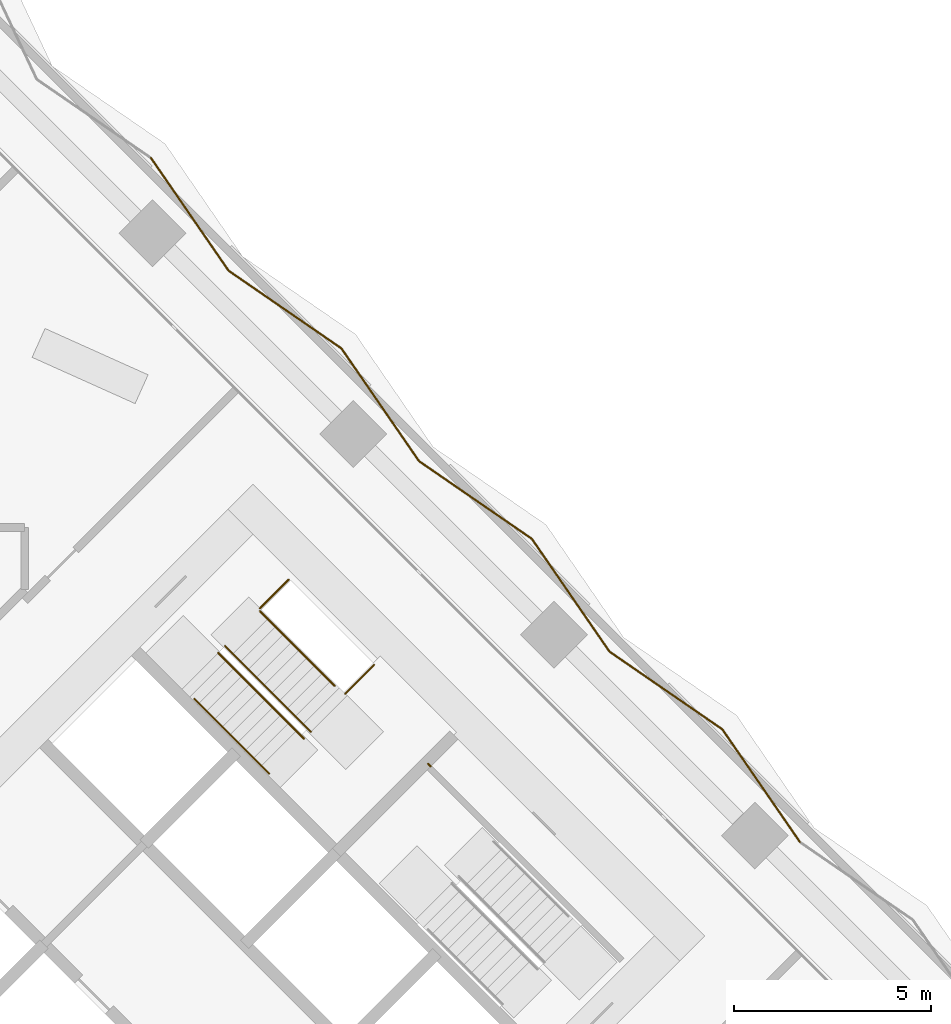
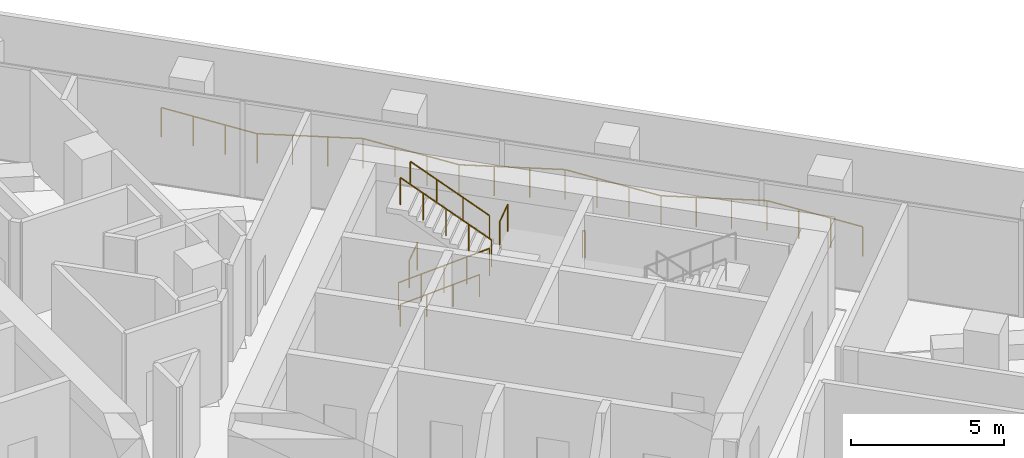
# One storey, part 24 of 24: 14 railings.
"""IFC4 building model written with IfcOpenShell, lengths in metres."""

import ifcopenshell
import ifcopenshell.guid

model = None  # the IFC model being written
_history = None  # IfcOwnerHistory: only IFC2X3 demands one
_inside = {}  # id of a spatial element -> (the spatial element, [elements in it])
_under = {}  # id of a project, library or spatial element -> (it, [spatial elements below it])
_declared = {}  # id of a project -> (the project, [libraries it declares])
_typed = {}  # id of a type object -> (the type object, [elements of that type])
_made_of = {}  # id of a material, layer set ... -> (it, [elements and type objects made of it])


def new_model(schema):
    """Start an empty IFC model of exactly this schema.

    Asked for "IFC4X3", IfcOpenShell would pick the latest addendum, in which some entities
    have other attributes; the version numbers below select the first issue.
    IFC2X3 requires an IfcOwnerHistory on every rooted entity: one is made here for all.
    """
    global model, _history
    if schema == "IFC4X3":
        model = ifcopenshell.file(schema_version=(4, 3, 0, 0))
    else:
        model = ifcopenshell.file(schema=schema)
    _inside.clear()
    _under.clear()
    _declared.clear()
    _typed.clear()
    _made_of.clear()
    _history = None
    if model.schema == "IFC2X3":
        org = make("IfcOrganization", Name="unknown")
        user = make(
            "IfcPersonAndOrganization",
            ThePerson=make("IfcPerson", FamilyName="unknown"),
            TheOrganization=org,
        )
        app = make(
            "IfcApplication",
            ApplicationDeveloper=org,
            Version="unknown",
            ApplicationFullName="unknown",
            ApplicationIdentifier="unknown",
        )
        _history = make(
            "IfcOwnerHistory",
            OwningUser=user,
            OwningApplication=app,
            ChangeAction="ADDED",
            CreationDate=0,
        )
    return model


def make(cls, **values):
    """One entity of the class cls with the attributes given. An attribute that is None is left unset."""
    return model.create_entity(
        cls, **{name: value for name, value in values.items() if value is not None}
    )


def rooted(cls, **values):
    """An entity with a GlobalId (a new one), such as an element, a storey or a relation."""
    return make(cls, GlobalId=ifcopenshell.guid.new(), OwnerHistory=_history, **values)


def si_unit(unit_type, name, prefix=None):
    """IfcSIUnit, for example si_unit("LENGTHUNIT", "METRE", prefix="MILLI")."""
    return make("IfcSIUnit", UnitType=unit_type, Prefix=prefix, Name=name)


def assignment(units):
    """IfcUnitAssignment: the units of a project."""
    return None if units is None else make("IfcUnitAssignment", Units=units)


def point(xyz):
    """IfcCartesianPoint."""
    return None if xyz is None else make("IfcCartesianPoint", Coordinates=xyz)


def direction(xyz):
    """IfcDirection."""
    return None if xyz is None else make("IfcDirection", DirectionRatios=xyz)


def frame(location, z_axis=None, x_axis=None):
    """IfcAxis2Placement3D, a coordinate frame: its origin and axes. An axis left out is left unset."""
    return make(
        "IfcAxis2Placement3D",
        Location=point(location),
        Axis=direction(z_axis),
        RefDirection=direction(x_axis),
    )


def frame_2d(location, x_axis=None):
    """IfcAxis2Placement2D, a coordinate frame in the plane: its origin and x axis."""
    return make(
        "IfcAxis2Placement2D", Location=point(location), RefDirection=direction(x_axis)
    )


def origin():
    """The frame at (0, 0, 0) with its axes left unset."""
    return frame((0.0, 0.0, 0.0))


def origin_2d():
    """The frame at (0, 0) in the plane with its x axis left unset."""
    return frame_2d((0.0, 0.0))


def place(relative_to, where):
    """IfcLocalPlacement: puts the frame where relative to a parent placement (None: the world)."""
    return make(
        "IfcLocalPlacement", PlacementRelTo=relative_to, RelativePlacement=where
    )


def context(
    kind, dimensions, precision=None, world=None, true_north=None, identifier=None
):
    """IfcGeometricRepresentationContext, for example the 3D "Model" context."""
    return make(
        "IfcGeometricRepresentationContext",
        ContextIdentifier=identifier,
        ContextType=kind,
        CoordinateSpaceDimension=dimensions,
        Precision=precision,
        WorldCoordinateSystem=world,
        TrueNorth=true_north,
    )


def subcontext(parent, identifier, kind, view, scale=None):
    """IfcGeometricRepresentationSubContext, for example "Body" below "Model"."""
    return make(
        "IfcGeometricRepresentationSubContext",
        ContextIdentifier=identifier,
        ContextType=kind,
        ParentContext=parent,
        TargetScale=scale,
        TargetView=view,
    )


def project(units=None, contexts=None):
    """IfcProject with its units and contexts."""
    return rooted(
        "IfcProject",
        Name="project",
        RepresentationContexts=contexts,
        UnitsInContext=assignment(units),
    )


def spatial(cls, under=None, at=None, **own):
    """A site, building, storey or space (cls), placed at a placement, below another one or the project."""
    s = rooted(cls, ObjectPlacement=at, **own)
    if under is not None:
        _under.setdefault(under.id(), (under, []))[1].append(s)
    return s


def profile(cls, at=None, kind="AREA", **sizes):
    """A parametric profile (cls). Its sizes go by their IFC names, for example OverallWidth=200.0."""
    return make(cls, ProfileType=kind, Position=at, **sizes)


def circle(**sizes):
    """IfcCircleProfileDef."""
    return profile("IfcCircleProfileDef", **sizes)


def extrude(swept, where, along, depth):
    """IfcExtrudedAreaSolid: the profile swept, set in the frame where, extruded along a direction by depth."""
    return make(
        "IfcExtrudedAreaSolid",
        SweptArea=swept,
        Position=where,
        ExtrudedDirection=direction(along),
        Depth=depth,
    )


def shape(context_of_items, identifier, shape_type, items):
    """IfcShapeRepresentation: the items that make up one representation, for example the "Body"."""
    return make(
        "IfcShapeRepresentation",
        ContextOfItems=context_of_items,
        RepresentationIdentifier=identifier,
        RepresentationType=shape_type,
        Items=items,
    )


def material(Name=None, Category=None):
    """IfcMaterial."""
    return make("IfcMaterial", Name=Name, Category=Category)


def made_of(thing, what):
    """Note that an element or type object is made of a material, layer set ...; save() writes the relation."""
    if what is not None:
        _made_of.setdefault(what.id(), (what, []))[1].append(thing)
    return thing


def type_object(cls, material=None, **own):
    """A type object (cls), such as IfcWallType, which elements share."""
    return made_of(rooted(cls, **own), material)


def element(
    cls,
    number,
    at=None,
    inside=None,
    cuts=None,
    type_object=None,
    material=None,
    context=None,
    identifier="Body",
    shape_type=None,
    held_by="IfcProductDefinitionShape",
    body=None,
    shapes=None,
    **own,
):
    """One element of the class cls, such as IfcWall. Its Tag is "e" and its number.

    at: its placement. inside: the storey or other place that contains it. cuts: it is an
    opening in that element (IfcRelVoidsElement). A single representation is given by context,
    identifier, shape_type and body (its items); several are given by shapes. held_by: the class
    of the entity that holds the representations. save() writes the other relations.
    """
    e = rooted(cls, Tag="e%d" % number, ObjectPlacement=at, **own)
    if body is not None:
        shapes = [shape(context, identifier, shape_type, body)]
    if shapes is not None:
        e.Representation = make(held_by, Representations=shapes)
    if inside is not None:
        _inside.setdefault(inside.id(), (inside, []))[1].append(e)
    if cuts is not None:
        rooted(
            "IfcRelVoidsElement", RelatingBuildingElement=cuts, RelatedOpeningElement=e
        )
    if type_object is not None:
        _typed.setdefault(type_object.id(), (type_object, []))[1].append(e)
    return made_of(e, material)


def aggregate(whole, parts):
    """IfcRelAggregates: a whole, such as a stair, and the parts it consists of."""
    return rooted("IfcRelAggregates", RelatingObject=whole, RelatedObjects=parts)


def save(model, path):
    """Write the relations noted so far, then the file.

    IfcRelAggregates (storeys below a building ...), IfcRelContainedInSpatialStructure (elements
    in a storey), IfcRelDefinesByType, IfcRelAssociatesMaterial and IfcRelDeclares: one each for
    every whole, place, type object, material and project.
    """
    for whole, parts in _under.values():
        aggregate(whole, parts)
    for where, things in _inside.values():
        rooted(
            "IfcRelContainedInSpatialStructure",
            RelatedElements=things,
            RelatingStructure=where,
        )
    for kind, things in _typed.values():
        rooted("IfcRelDefinesByType", RelatedObjects=things, RelatingType=kind)
    for what, things in _made_of.values():
        rooted("IfcRelAssociatesMaterial", RelatedObjects=things, RelatingMaterial=what)
    for by, libraries in _declared.values():
        rooted("IfcRelDeclares", RelatingContext=by, RelatedDefinitions=libraries)
    model.write(path)


model = new_model("IFC4")

# Units and contexts
model_context = context("Model", 3, precision=1e-05, world=origin(), true_north=direction((0.0, 1.0)))
body_context = subcontext(model_context, "Body", "Model", "MODEL_VIEW")
ifc_project = project(units=[si_unit("LENGTHUNIT", "METRE"), si_unit("AREAUNIT", "SQUARE_METRE"), si_unit("VOLUMEUNIT", "CUBIC_METRE"), si_unit("PLANEANGLEUNIT", "RADIAN"), si_unit("MASSUNIT", "GRAM", prefix="KILO")], contexts=[model_context])

# Site, building, storey
site_placement = place(None, origin())
site = spatial("IfcSite", under=ifc_project, at=site_placement, CompositionType="ELEMENT")
building_placement = place(site_placement, origin())
building = spatial("IfcBuilding", under=site, at=building_placement, Name="Windrow Commons", CompositionType="ELEMENT")
storey_placement = place(building_placement, frame((0.0, 0.0, 67.8)))
storey = spatial("IfcBuildingStorey", under=building, at=storey_placement, Name="L18", CompositionType="ELEMENT", Elevation=67.8)

# Railings
ifc_material_1 = material(Name="Steel S355", Category="steel")
railing_type_1 = type_object("IfcRailingType", Name="Core stair guard 1100", PredefinedType="GUARDRAIL", material=ifc_material_1)
railing_1_placement = place(storey_placement, frame((85.9529, 56.2669, 0.175)))
element("IfcRailing", 1, at=railing_1_placement, inside=storey, type_object=railing_type_1, Name="L18 ST-B1 stair guard 1", PredefinedType="GUARDRAIL", context=body_context, shape_type="SweptSolid", body=[
    extrude(circle(Radius=0.024, at=origin_2d()), frame((0.0, 0.0, 1.076), z_axis=(0.5996262107, -0.5996262107, 0.5299969951), x_axis=(0.7071067812, 0.7071067812, 0.0)), (0.0, 0.0, 1.0), 3.6321),
    extrude(circle(Radius=0.021, at=origin_2d()), origin(), (0.0, 0.0, 1.0), 1.052),
    extrude(circle(Radius=0.021, at=origin_2d()), frame((0.5445, -0.5445, 0.4813)), (0.0, 0.0, 1.0), 1.052),
    extrude(circle(Radius=0.021, at=origin_2d()), frame((1.0889, -1.089, 0.9625)), (0.0, 0.0, 1.0), 1.052),
    extrude(circle(Radius=0.021, at=origin_2d()), frame((1.6334, -1.6334, 1.4438)), (0.0, 0.0, 1.0), 1.052),
    extrude(circle(Radius=0.021, at=origin_2d()), frame((2.1779, -2.1779, 1.925)), (0.0, 0.0, 1.0), 1.052),
])
railing_2_placement = place(storey_placement, frame((88.3075, 54.2658, 2.275)))
element("IfcRailing", 2, at=railing_2_placement, inside=storey, type_object=railing_type_1, Name="L18 ST-B1 stair guard 2", PredefinedType="GUARDRAIL", context=body_context, shape_type="SweptSolid", body=[
    extrude(circle(Radius=0.024, at=origin_2d()), frame((0.0, 0.0, 1.076), z_axis=(-0.5996262107, 0.5996262107, 0.5299969951), x_axis=(-0.7071067812, -0.7071067812, 0.0)), (0.0, 0.0, 1.0), 3.6321),
    extrude(circle(Radius=0.021, at=origin_2d()), origin(), (0.0, 0.0, 1.0), 1.052),
    extrude(circle(Radius=0.021, at=origin_2d()), frame((-0.5445, 0.5445, 0.4812)), (0.0, 0.0, 1.0), 1.052),
    extrude(circle(Radius=0.021, at=origin_2d()), frame((-1.089, 1.089, 0.9625)), (0.0, 0.0, 1.0), 1.052),
    extrude(circle(Radius=0.021, at=origin_2d()), frame((-1.6334, 1.6334, 1.4437)), (0.0, 0.0, 1.0), 1.052),
    extrude(circle(Radius=0.021, at=origin_2d()), frame((-2.1779, 2.1779, 1.925)), (0.0, 0.0, 1.0), 1.052),
])
railing_3_placement = place(storey_placement, frame((87.0135, 57.3982, 0.0)))
element("IfcRailing", 3, at=railing_3_placement, inside=storey, type_object=railing_type_1, Name="L18 ST-B1 stair guard 3", PredefinedType="GUARDRAIL", context=body_context, shape_type="SweptSolid", body=[
    extrude(circle(Radius=0.024, at=origin_2d()), frame((0.0, 0.0, 1.076), z_axis=(0.7070582378, 0.7071553212, 0.0), x_axis=(-0.7071553212, 0.7070582378, 0.0)), (0.0, 0.0, 1.0), 1.03),
    extrude(circle(Radius=0.021, at=origin_2d()), origin(), (0.0, 0.0, 1.0), 1.052),
    extrude(circle(Radius=0.021, at=origin_2d()), frame((0.7283, 0.7284, 0.0)), (0.0, 0.0, 1.0), 1.052),
])
railing_4_placement = place(storey_placement, frame((89.1773, 55.2345, 2.1)))
element("IfcRailing", 4, at=railing_4_placement, inside=storey, type_object=railing_type_1, Name="L18 ST-B1 stair guard 4", PredefinedType="GUARDRAIL", context=body_context, shape_type="SweptSolid", body=[
    extrude(circle(Radius=0.024, at=origin_2d()), frame((0.0, 0.0, 1.076), z_axis=(0.7071067812, 0.7071067812, 0.0), x_axis=(-0.7071067812, 0.7071067812, 0.0)), (0.0, 0.0, 1.0), 1.03),
    extrude(circle(Radius=0.021, at=origin_2d()), origin(), (0.0, 0.0, 1.0), 1.052),
    extrude(circle(Radius=0.021, at=origin_2d()), frame((0.7283, 0.7283, 0.0)), (0.0, 0.0, 1.0), 1.052),
])
railing_5_placement = place(storey_placement, frame((91.3446, 53.3854, 2.1)))
element("IfcRailing", 5, at=railing_5_placement, inside=storey, type_object=railing_type_1, Name="L18 ST-B2 stair guard 3", PredefinedType="GUARDRAIL", context=body_context, shape_type="SweptSolid", body=[
    extrude(circle(Radius=0.024, at=origin_2d()), frame((0.0, 0.0, 1.076), z_axis=(-0.7076063266, 0.7066068826, 0.0), x_axis=(-0.7066068826, -0.7076063266, 0.0)), (0.0, 0.0, 1.0), 0.1001),
    extrude(circle(Radius=0.021, at=origin_2d()), origin(), (0.0, 0.0, 1.0), 1.052),
    extrude(circle(Radius=0.021, at=origin_2d()), frame((-0.0708, 0.0707, 0.0)), (0.0, 0.0, 1.0), 1.052),
])
ifc_material_2 = material(Name="Steel S355", Category="steel")
railing_type_2 = type_object("IfcRailingType", Name="Core stair handrail 900", PredefinedType="HANDRAIL", material=ifc_material_2)
railing_6_placement = place(storey_placement, frame((85.3518, 55.1001, 0.425)))
element("IfcRailing", 6, at=railing_6_placement, inside=storey, type_object=railing_type_2, Name="L18 ST-B1 stair handrail 1", PredefinedType="HANDRAIL", context=body_context, shape_type="SweptSolid", body=[
    extrude(circle(Radius=0.024, at=origin_2d()), frame((0.0, 0.0, 0.876), z_axis=(0.599641512, -0.5996098703, 0.5299981703), x_axis=(0.7070881243, 0.7071254376, 0.0)), (0.0, 0.0, 1.0), 3.1604),
    extrude(circle(Radius=0.021, at=origin_2d()), origin(), (0.0, 0.0, 1.0), 0.852),
    extrude(circle(Radius=0.021, at=origin_2d()), frame((0.6317, -0.6317, 0.5583)), (0.0, 0.0, 1.0), 0.852),
    extrude(circle(Radius=0.021, at=origin_2d()), frame((1.2634, -1.2633, 1.1167)), (0.0, 0.0, 1.0), 0.852),
    extrude(circle(Radius=0.021, at=origin_2d()), frame((1.8951, -1.895, 1.675)), (0.0, 0.0, 1.0), 0.852),
])
railing_7_placement = place(storey_placement, frame((88.9086, 55.4325, 2.525)))
element("IfcRailing", 7, at=railing_7_placement, inside=storey, type_object=railing_type_2, Name="L18 ST-B1 stair handrail 2", PredefinedType="HANDRAIL", context=body_context, shape_type="SweptSolid", body=[
    extrude(circle(Radius=0.024, at=origin_2d()), frame((0.0, 0.0, 0.876), z_axis=(-0.599641512, 0.5996098703, 0.5299981703), x_axis=(-0.7070881243, -0.7071254376, 0.0)), (0.0, 0.0, 1.0), 3.1604),
    extrude(circle(Radius=0.021, at=origin_2d()), origin(), (0.0, 0.0, 1.0), 0.852),
    extrude(circle(Radius=0.021, at=origin_2d()), frame((-0.6317, 0.6317, 0.5583)), (0.0, 0.0, 1.0), 0.852),
    extrude(circle(Radius=0.021, at=origin_2d()), frame((-1.2634, 1.2633, 1.1167)), (0.0, 0.0, 1.0), 0.852),
    extrude(circle(Radius=0.021, at=origin_2d()), frame((-1.8951, 1.895, 1.675)), (0.0, 0.0, 1.0), 0.852),
])
ifc_material_3 = material(Name="Stainless steel S316 balustrade with toughened glass infill", Category="steel")
railing_type_3 = type_object("IfcRailingType", Name="Terrace guard 1200 podium", PredefinedType="BALUSTRADE", material=ifc_material_3)
railing_8_placement = place(storey_placement, frame((84.2494, 68.8196, 0.05)))
element("IfcRailing", 8, at=railing_8_placement, inside=storey, type_object=railing_type_3, Name="Guard TR-L18-1.E40", PredefinedType="BALUSTRADE", context=body_context, shape_type="SweptSolid", body=[
    extrude(circle(Radius=0.025, at=origin_2d()), frame((0.0, 0.0, 1.175), z_axis=(0.567104295, -0.8236459911, 0.0), x_axis=(0.8236459911, 0.567104295, 0.0)), (0.0, 0.0, 1.0), 3.4727),
    extrude(circle(Radius=0.02, at=origin_2d()), origin(), (0.0, 0.0, 1.0), 1.15),
    extrude(circle(Radius=0.02, at=origin_2d()), frame((0.6565, -0.9534, 0.0)), (0.0, 0.0, 1.0), 1.15),
    extrude(circle(Radius=0.02, at=origin_2d()), frame((1.3129, -1.9069, 0.0)), (0.0, 0.0, 1.0), 1.15),
    extrude(circle(Radius=0.02, at=origin_2d()), frame((1.9694, -2.8603, 0.0)), (0.0, 0.0, 1.0), 1.15),
])
railing_9_placement = place(storey_placement, frame((86.2188, 65.9593, 0.05)))
element("IfcRailing", 9, at=railing_9_placement, inside=storey, type_object=railing_type_3, Name="Guard TR-L18-1.E41", PredefinedType="BALUSTRADE", context=body_context, shape_type="SweptSolid", body=[
    extrude(circle(Radius=0.025, at=origin_2d()), frame((0.0, 0.0, 1.175), z_axis=(0.8236501806, -0.5670982102, 0.0), x_axis=(0.5670982102, 0.8236501806, 0.0)), (0.0, 0.0, 1.0), 3.4726),
    extrude(circle(Radius=0.02, at=origin_2d()), origin(), (0.0, 0.0, 1.0), 1.15),
    extrude(circle(Radius=0.02, at=origin_2d()), frame((0.9534, -0.6564, 0.0)), (0.0, 0.0, 1.0), 1.15),
    extrude(circle(Radius=0.02, at=origin_2d()), frame((1.9068, -1.3129, 0.0)), (0.0, 0.0, 1.0), 1.15),
    extrude(circle(Radius=0.02, at=origin_2d()), frame((2.8602, -1.9693, 0.0)), (0.0, 0.0, 1.0), 1.15),
])
railing_10_placement = place(storey_placement, frame((89.079, 63.99, 0.05)))
element("IfcRailing", 10, at=railing_10_placement, inside=storey, type_object=railing_type_3, Name="Guard TR-L18-1.E42", PredefinedType="BALUSTRADE", context=body_context, shape_type="SweptSolid", body=[
    extrude(circle(Radius=0.025, at=origin_2d()), frame((0.0, 0.0, 1.175), z_axis=(0.567104295, -0.8236459911, 0.0), x_axis=(0.8236459911, 0.567104295, 0.0)), (0.0, 0.0, 1.0), 3.4727),
    extrude(circle(Radius=0.02, at=origin_2d()), origin(), (0.0, 0.0, 1.0), 1.15),
    extrude(circle(Radius=0.02, at=origin_2d()), frame((0.6565, -0.9534, 0.0)), (0.0, 0.0, 1.0), 1.15),
    extrude(circle(Radius=0.02, at=origin_2d()), frame((1.3129, -1.9069, 0.0)), (0.0, 0.0, 1.0), 1.15),
    extrude(circle(Radius=0.02, at=origin_2d()), frame((1.9694, -2.8603, 0.0)), (0.0, 0.0, 1.0), 1.15),
])
railing_11_placement = place(storey_placement, frame((91.0484, 61.1297, 0.05)))
element("IfcRailing", 11, at=railing_11_placement, inside=storey, type_object=railing_type_3, Name="Guard TR-L18-1.E43", PredefinedType="BALUSTRADE", context=body_context, shape_type="SweptSolid", body=[
    extrude(circle(Radius=0.025, at=origin_2d()), frame((0.0, 0.0, 1.175), z_axis=(0.8236501806, -0.5670982102, 0.0), x_axis=(0.5670982102, 0.8236501806, 0.0)), (0.0, 0.0, 1.0), 3.4726),
    extrude(circle(Radius=0.02, at=origin_2d()), origin(), (0.0, 0.0, 1.0), 1.15),
    extrude(circle(Radius=0.02, at=origin_2d()), frame((0.9534, -0.6564, 0.0)), (0.0, 0.0, 1.0), 1.15),
    extrude(circle(Radius=0.02, at=origin_2d()), frame((1.9068, -1.3129, 0.0)), (0.0, 0.0, 1.0), 1.15),
    extrude(circle(Radius=0.02, at=origin_2d()), frame((2.8602, -1.9693, 0.0)), (0.0, 0.0, 1.0), 1.15),
])
railing_12_placement = place(storey_placement, frame((93.9086, 59.1604, 0.05)))
element("IfcRailing", 12, at=railing_12_placement, inside=storey, type_object=railing_type_3, Name="Guard TR-L18-1.E44", PredefinedType="BALUSTRADE", context=body_context, shape_type="SweptSolid", body=[
    extrude(circle(Radius=0.025, at=origin_2d()), frame((0.0, 0.0, 1.175), z_axis=(0.567104295, -0.8236459911, 0.0), x_axis=(0.8236459911, 0.567104295, 0.0)), (0.0, 0.0, 1.0), 3.4727),
    extrude(circle(Radius=0.02, at=origin_2d()), origin(), (0.0, 0.0, 1.0), 1.15),
    extrude(circle(Radius=0.02, at=origin_2d()), frame((0.6565, -0.9534, 0.0)), (0.0, 0.0, 1.0), 1.15),
    extrude(circle(Radius=0.02, at=origin_2d()), frame((1.3129, -1.9069, 0.0)), (0.0, 0.0, 1.0), 1.15),
    extrude(circle(Radius=0.02, at=origin_2d()), frame((1.9694, -2.8603, 0.0)), (0.0, 0.0, 1.0), 1.15),
])
railing_13_placement = place(storey_placement, frame((95.878, 56.3001, 0.05)))
element("IfcRailing", 13, at=railing_13_placement, inside=storey, type_object=railing_type_3, Name="Guard TR-L18-1.E45", PredefinedType="BALUSTRADE", context=body_context, shape_type="SweptSolid", body=[
    extrude(circle(Radius=0.025, at=origin_2d()), frame((0.0, 0.0, 1.175), z_axis=(0.8236459911, -0.567104295, 0.0), x_axis=(0.567104295, 0.8236459911, 0.0)), (0.0, 0.0, 1.0), 3.4727),
    extrude(circle(Radius=0.02, at=origin_2d()), origin(), (0.0, 0.0, 1.0), 1.15),
    extrude(circle(Radius=0.02, at=origin_2d()), frame((0.9534, -0.6565, 0.0)), (0.0, 0.0, 1.0), 1.15),
    extrude(circle(Radius=0.02, at=origin_2d()), frame((1.9069, -1.3129, 0.0)), (0.0, 0.0, 1.0), 1.15),
    extrude(circle(Radius=0.02, at=origin_2d()), frame((2.8603, -1.9694, 0.0)), (0.0, 0.0, 1.0), 1.15),
])
railing_14_placement = place(storey_placement, frame((98.7383, 54.3307, 0.05)))
element("IfcRailing", 14, at=railing_14_placement, inside=storey, type_object=railing_type_3, Name="Guard TR-L18-1.E46", PredefinedType="BALUSTRADE", context=body_context, shape_type="SweptSolid", body=[
    extrude(circle(Radius=0.025, at=origin_2d()), frame((0.0, 0.0, 1.175), z_axis=(0.5670982102, -0.8236501806, 0.0), x_axis=(0.8236501806, 0.5670982102, 0.0)), (0.0, 0.0, 1.0), 3.4726),
    extrude(circle(Radius=0.02, at=origin_2d()), origin(), (0.0, 0.0, 1.0), 1.15),
    extrude(circle(Radius=0.02, at=origin_2d()), frame((0.6564, -0.9534, 0.0)), (0.0, 0.0, 1.0), 1.15),
    extrude(circle(Radius=0.02, at=origin_2d()), frame((1.3129, -1.9068, 0.0)), (0.0, 0.0, 1.0), 1.15),
    extrude(circle(Radius=0.02, at=origin_2d()), frame((1.9693, -2.8602, 0.0)), (0.0, 0.0, 1.0), 1.15),
])

save(model, "model.ifc")
